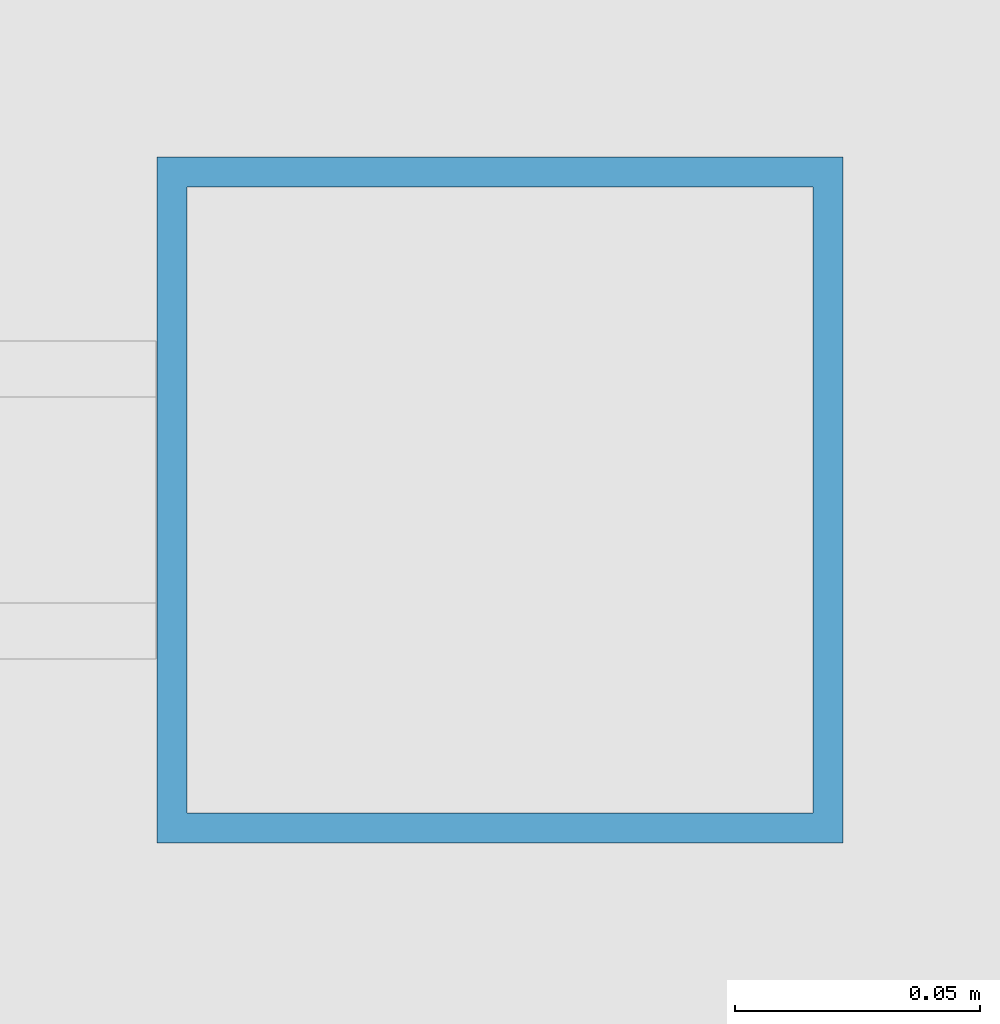
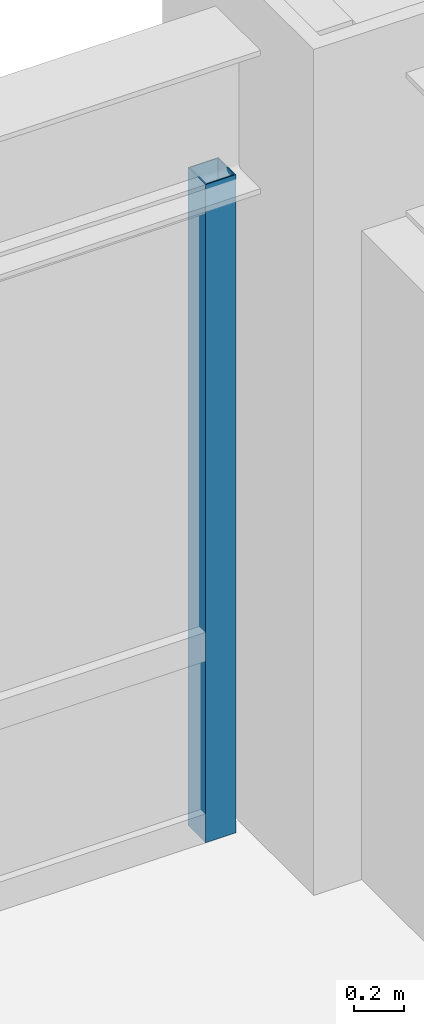
# One storey, part 21 of 27: 1 member, 1 element without a shape of its own.
"""IFC4 building model written with IfcOpenShell, lengths in metres."""

from ifc_helpers import new_model, si_unit, direction, frame, origin, origin_2d, place, context, subcontext, project, spatial, hollow_rectangle, extrude, source, transform, mapped, material, material_profile, profile_set, type_object, element, aggregate, save


model = new_model("IFC4")

# Units and contexts
model_context = context("Model", 3, precision=1e-05, world=origin(), true_north=direction((0.0, 1.0)))
body_context = subcontext(model_context, "Body", "Model", "MODEL_VIEW")
ifc_project = project(units=[si_unit("LENGTHUNIT", "METRE"), si_unit("AREAUNIT", "SQUARE_METRE"), si_unit("VOLUMEUNIT", "CUBIC_METRE"), si_unit("PLANEANGLEUNIT", "RADIAN"), si_unit("MASSUNIT", "GRAM", prefix="KILO")], contexts=[model_context])

# Site, building, storey
site_placement = place(None, origin())
site = spatial("IfcSite", under=ifc_project, at=site_placement, CompositionType="ELEMENT")
building_placement = place(site_placement, origin())
building = spatial("IfcBuilding", under=site, at=building_placement, Name="Khorayat Bourse Tower", CompositionType="ELEMENT")
storey_placement = place(building_placement, frame((0.0, 0.0, 103.699951171875)))
storey = spatial("IfcBuildingStorey", under=building, at=storey_placement, Name="L23", CompositionType="ELEMENT", Elevation=103.699951171875)

# Curtain wall, member
ifc_material = material(Name="Aluminium EN AW-6063 T6", Category="aluminium")
curtain_wall_type = type_object("IfcCurtainWallType", Name="CW-SYS-02", PredefinedType="NOTDEFINED", material=ifc_material)
curtain_wall_placement = place(storey_placement, origin())
curtain_wall = element("IfcCurtainWall", 1, at=curtain_wall_placement, inside=storey, type_object=curtain_wall_type, Name="L23 Curtain Wall CW-L23-N1", PredefinedType="NOTDEFINED")
ifc_material_profile = material_profile(ifc_material, hollow_rectangle(XDim=0.139892578125, YDim=0.139892578125, WallThickness=0.006103515625, at=origin_2d()), Name="ALU 140x140x6")
ifc_profile_set = profile_set([ifc_material_profile], Name="Aluminium EN AW-6063 T6")
member_type = type_object("IfcMemberType", Name="CWM-VERT-140", PredefinedType="MULLION", material=ifc_profile_set)
shared_shape = source(origin(), body_context, "Body", "SweptSolid", [
    extrude(hollow_rectangle(XDim=0.139892578125, YDim=0.139892578125, WallThickness=0.006103515625, at=origin_2d()), origin(), (0.0, 0.0, 1.0), 3.18994140625),
])
member_placement = place(storey_placement, frame((27.280029296875, 32.0, 0.0), z_axis=(0.0, 0.0, 1.0), x_axis=(0.0, 1.0, 0.0)))
member = element("IfcMember", 2, at=member_placement, type_object=member_type, Name="CW-L23-N1 Vertical Mullion 3", PredefinedType="MULLION", context=body_context, shape_type="MappedRepresentation", body=[
    mapped(shared_shape, transform((0.0, 0.0, 0.0), scale=1.0)),
])
aggregate(curtain_wall, [member])

save(model, "model.ifc")
